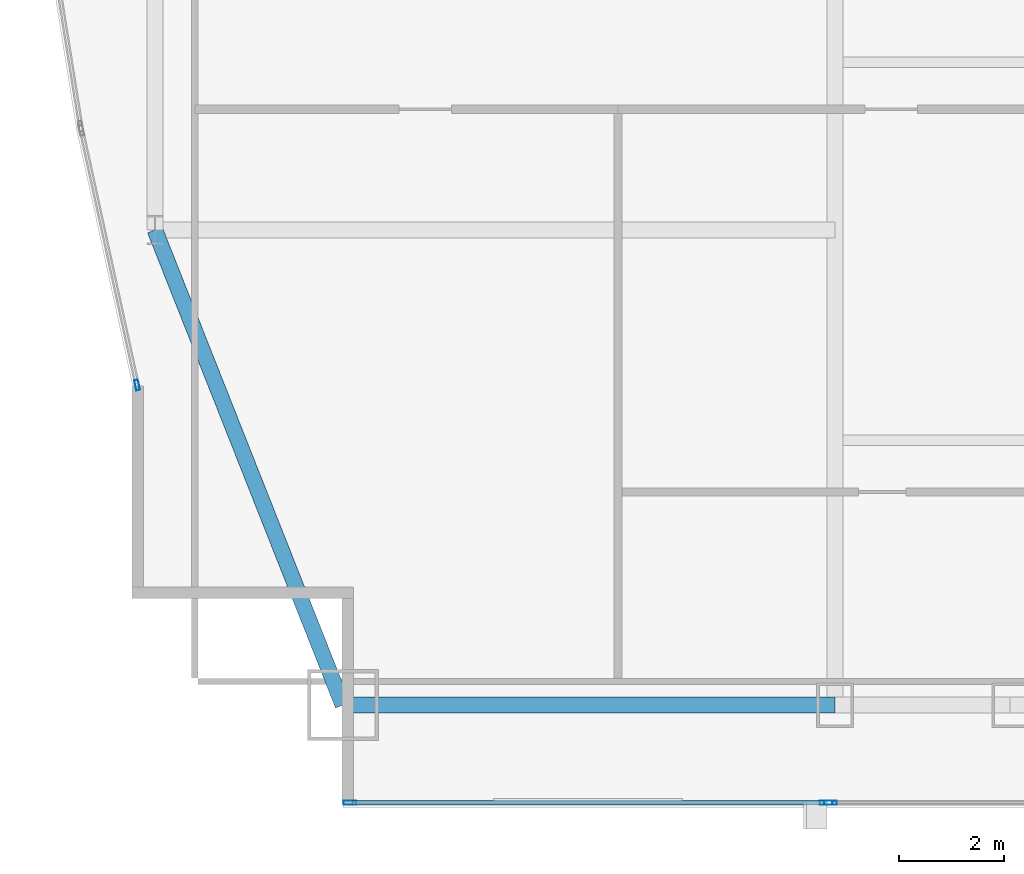
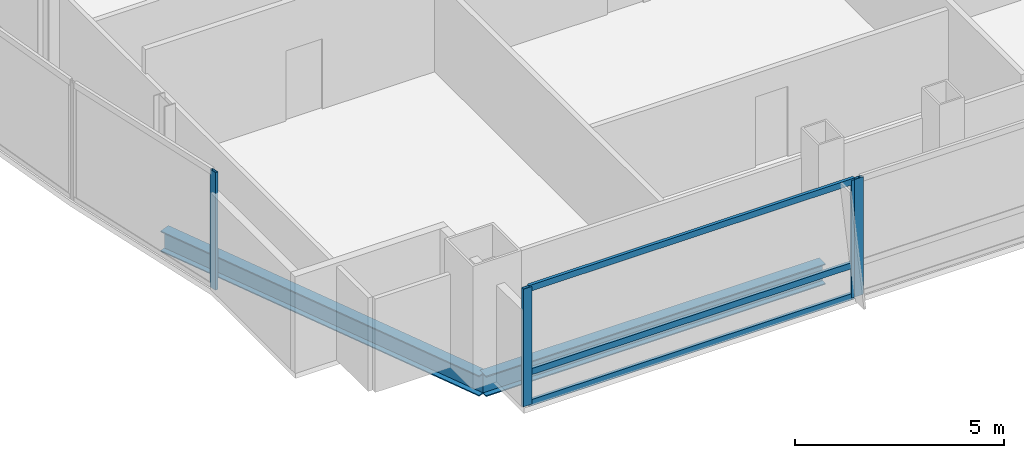
# One storey, part 5 of 29: 7 members, 2 beams, 3 elements without a shape of their own.
"""IFC4 building model written with IfcOpenShell, lengths in metres."""

from ifc_helpers import new_model, si_unit, direction, frame, origin, origin_2d, place, context, subcontext, project, spatial, hollow_rectangle, i_section, extrude, material, material_profile, profile_set, type_object, element, aggregate, save


model = new_model("IFC4")

# Units and contexts
model_context = context("Model", 3, precision=1e-05, world=origin(), true_north=direction((0.0, 1.0)))
body_context = subcontext(model_context, "Body", "Model", "MODEL_VIEW")
ifc_project = project(units=[si_unit("LENGTHUNIT", "METRE"), si_unit("AREAUNIT", "SQUARE_METRE"), si_unit("VOLUMEUNIT", "CUBIC_METRE"), si_unit("PLANEANGLEUNIT", "RADIAN"), si_unit("MASSUNIT", "GRAM", prefix="KILO")], contexts=[model_context])

# Site, building, storey
site_placement = place(None, origin())
site = spatial("IfcSite", under=ifc_project, at=site_placement, CompositionType="ELEMENT")
building_placement = place(site_placement, origin())
building = spatial("IfcBuilding", under=site, at=building_placement, Name="Khoronbel Lancet Exchange", CompositionType="ELEMENT")
storey_placement = place(building_placement, frame((0.0, 0.0, 161.39990234375)))
storey = spatial("IfcBuildingStorey", under=building, at=storey_placement, Name="L40", CompositionType="ELEMENT", Elevation=161.39990234375)

# Beams
ifc_material_1 = material(Name="Steel S355", Category="steel")
ifc_material_profile_1 = material_profile(ifc_material_1, i_section(OverallWidth=0.300048828125, OverallDepth=0.60009765625, WebThickness=0.015380859375, FlangeThickness=0.030029296875, at=origin_2d()), Name="HEB 600")
ifc_profile_set_1 = profile_set([ifc_material_profile_1], Name="Steel S355")
beam_type = type_object("IfcBeamType", Name="BM-BSP2", PredefinedType="SPANDREL", material=ifc_profile_set_1)
beam_1_placement = place(storey_placement, frame((8.85009765625, 10.14990234375, -0.4599609375), z_axis=(1.0, 0.0, 0.0), x_axis=(0.0, 1.0, 0.0)))
element("IfcBeam", 1, at=beam_1_placement, inside=storey, type_object=beam_type, Name="Level L40 perimeter spandrel beam SP01", PredefinedType="SPANDREL", context=body_context, shape_type="SweptSolid", body=[
    extrude(i_section(OverallWidth=0.300048828125, OverallDepth=0.60009765625, WebThickness=0.015380859375, FlangeThickness=0.030029296875, at=origin_2d()), origin(), (0.0, 0.0, 1.0), 9.375),
])
beam_2_placement = place(storey_placement, frame((5.27001953125, 19.199951171875, -0.4599609375), z_axis=(0.367850095026, -0.92988510451, 0.0), x_axis=(0.92988510451, 0.367850095026, 0.0)))
element("IfcBeam", 2, at=beam_2_placement, inside=storey, type_object=beam_type, Name="Level L40 perimeter spandrel beam SP21", PredefinedType="SPANDREL", context=body_context, shape_type="SweptSolid", body=[
    extrude(i_section(OverallWidth=0.300048828125, OverallDepth=0.60009765625, WebThickness=0.015380859375, FlangeThickness=0.030029296875, at=origin_2d()), origin(), (0.0, 0.0, 1.0), 9.732421875),
])

# Curtain wall, members
ifc_material_2 = material(Name="Low-E Solar Control Insulating Glass", Category="glass")
curtain_wall_type_1 = type_object("IfcCurtainWallType", Name="CW-3", PredefinedType="NOTDEFINED", material=ifc_material_2)
curtain_wall_1_placement = place(storey_placement, origin())
curtain_wall_1 = element("IfcCurtainWall", 3, at=curtain_wall_1_placement, inside=storey, type_object=curtain_wall_type_1, Name="Unitised curtain wall CW-L40-SWV", PredefinedType="NOTDEFINED")
ifc_material_3 = material(Name="Bronze-Anodised Aluminium 6063-T6", Category="aluminium")
ifc_material_profile_2 = material_profile(ifc_material_3, hollow_rectangle(XDim=0.0849609375, YDim=0.239990234375, WallThickness=0.006103515625, at=origin_2d()), Name="ALU MULLION 85x240")
ifc_profile_set_2 = profile_set([ifc_material_profile_2], Name="Bronze-Anodised Aluminium 6063-T6")
member_type_1 = type_object("IfcMemberType", Name="MEM-CWM1", PredefinedType="MULLION", material=ifc_profile_set_2)
member_1_placement = place(storey_placement, frame((8.982421875, 8.2900390625, 0.0), z_axis=(0.0, 0.0, 1.0), x_axis=(0.0, 1.0, 0.0)))
member_1 = element("IfcMember", 4, at=member_1_placement, type_object=member_type_1, Name="CW3 mullion 1", PredefinedType="MULLION", context=body_context, shape_type="SweptSolid", body=[
    extrude(hollow_rectangle(XDim=0.0849609375, YDim=0.239990234375, WallThickness=0.006103515625, at=origin_2d()), origin(), (0.0, 0.0, 1.0), 3.440185546875),
])
member_2_placement = place(storey_placement, frame((18.0576171875, 8.2900390625, 0.0), z_axis=(0.0, 0.0, 1.0), x_axis=(0.0, 1.0, 0.0)))
member_2 = element("IfcMember", 5, at=member_2_placement, type_object=member_type_1, Name="CW3 mullion 2", PredefinedType="MULLION", context=body_context, shape_type="SweptSolid", body=[
    extrude(hollow_rectangle(XDim=0.0849609375, YDim=0.239990234375, WallThickness=0.006103515625, at=origin_2d()), origin(), (0.0, 0.0, 1.0), 3.440185546875),
])

# Curtain wall, member
curtain_wall_2_placement = place(storey_placement, origin())
curtain_wall_2 = element("IfcCurtainWall", 6, at=curtain_wall_2_placement, inside=storey, type_object=curtain_wall_type_1, Name="Unitised curtain wall CW-L40-SWB", PredefinedType="NOTDEFINED")
member_3_placement = place(storey_placement, frame((18.142578125, 8.2900390625, 0.0), z_axis=(0.0, 0.0, 1.0), x_axis=(0.0, 1.0, 0.0)))
member_3 = element("IfcMember", 7, at=member_3_placement, type_object=member_type_1, Name="CW3 mullion 1", PredefinedType="MULLION", context=body_context, shape_type="SweptSolid", body=[
    extrude(hollow_rectangle(XDim=0.0849609375, YDim=0.239990234375, WallThickness=0.006103515625, at=origin_2d()), origin(), (0.0, 0.0, 1.0), 3.440185546875),
])
aggregate(curtain_wall_2, [member_3])

curtain_wall_type_2 = type_object("IfcCurtainWallType", Name="CW-4", PredefinedType="NOTDEFINED", material=ifc_material_2)
curtain_wall_3_placement = place(storey_placement, origin())
curtain_wall_3 = element("IfcCurtainWall", 8, at=curtain_wall_3_placement, inside=storey, type_object=curtain_wall_type_2, Name="Unitised curtain wall CW-L40-E04", PredefinedType="NOTDEFINED")
ifc_material_profile_3 = material_profile(ifc_material_3, hollow_rectangle(XDim=0.074951171875, YDim=0.199951171875, WallThickness=0.0048828125, at=origin_2d()), Name="ALU MULLION 75x200")
ifc_profile_set_3 = profile_set([ifc_material_profile_3], Name="Bronze-Anodised Aluminium 6063-T6")
member_type_2 = type_object("IfcMemberType", Name="MEM-CWM2", PredefinedType="MULLION", material=ifc_profile_set_3)
member_4_placement = place(storey_placement, frame((4.931884765625, 16.246337890625, 0.0), z_axis=(0.0, 0.0, 1.0), x_axis=(-0.976923181341, -0.213590958982, 0.0)))
member_4 = element("IfcMember", 9, at=member_4_placement, type_object=member_type_2, Name="CW4 mullion 1", PredefinedType="MULLION", context=body_context, shape_type="SweptSolid", body=[
    extrude(hollow_rectangle(XDim=0.074951171875, YDim=0.199951171875, WallThickness=0.0048828125, at=origin_2d()), origin(), (0.0, 0.0, 1.0), 3.440185546875),
])
aggregate(curtain_wall_3, [member_4])

# Member
ifc_material_profile_4 = material_profile(ifc_material_3, hollow_rectangle(XDim=0.0849609375, YDim=0.179931640625, WallThickness=0.0048828125, at=origin_2d()), Name="ALU TRANSOM 85x180")
ifc_profile_set_4 = profile_set([ifc_material_profile_4], Name="Bronze-Anodised Aluminium 6063-T6")
member_type_3 = type_object("IfcMemberType", Name="MEM-CWT1", PredefinedType="USERDEFINED", material=ifc_profile_set_4)
member_5_placement = place(storey_placement, frame((9.02490234375, 8.2900390625, 0.04248046875), z_axis=(1.0, 0.0, 0.0), x_axis=(0.0, 1.0, 0.0)))
member_5 = element("IfcMember", 10, at=member_5_placement, type_object=member_type_3, Name="CW3 transom 1.1", ObjectType="TRANSOM", PredefinedType="USERDEFINED", context=body_context, shape_type="SweptSolid", body=[
    extrude(hollow_rectangle(XDim=0.0849609375, YDim=0.179931640625, WallThickness=0.0048828125, at=origin_2d()), origin(), (0.0, 0.0, 1.0), 8.989990234375),
])

member_6_placement = place(storey_placement, frame((9.02490234375, 8.2900390625, 0.9501953125), z_axis=(1.0, 0.0, 0.0), x_axis=(0.0, 1.0, 0.0)))
member_6 = element("IfcMember", 11, at=member_6_placement, type_object=member_type_3, Name="CW3 transom 1.2", ObjectType="TRANSOM", PredefinedType="USERDEFINED", context=body_context, shape_type="SweptSolid", body=[
    extrude(hollow_rectangle(XDim=0.0849609375, YDim=0.179931640625, WallThickness=0.0048828125, at=origin_2d()), origin(), (0.0, 0.0, 1.0), 8.989990234375),
])

member_7_placement = place(storey_placement, frame((9.02490234375, 8.2900390625, 3.397705078125), z_axis=(1.0, 0.0, 0.0), x_axis=(0.0, 1.0, 0.0)))
member_7 = element("IfcMember", 12, at=member_7_placement, type_object=member_type_3, Name="CW3 transom 1.3", ObjectType="TRANSOM", PredefinedType="USERDEFINED", context=body_context, shape_type="SweptSolid", body=[
    extrude(hollow_rectangle(XDim=0.0849609375, YDim=0.179931640625, WallThickness=0.0048828125, at=origin_2d()), origin(), (0.0, 0.0, 1.0), 8.989990234375),
])

aggregate(curtain_wall_1, [member_1, member_2, member_5, member_6, member_7])

save(model, "model.ifc")
